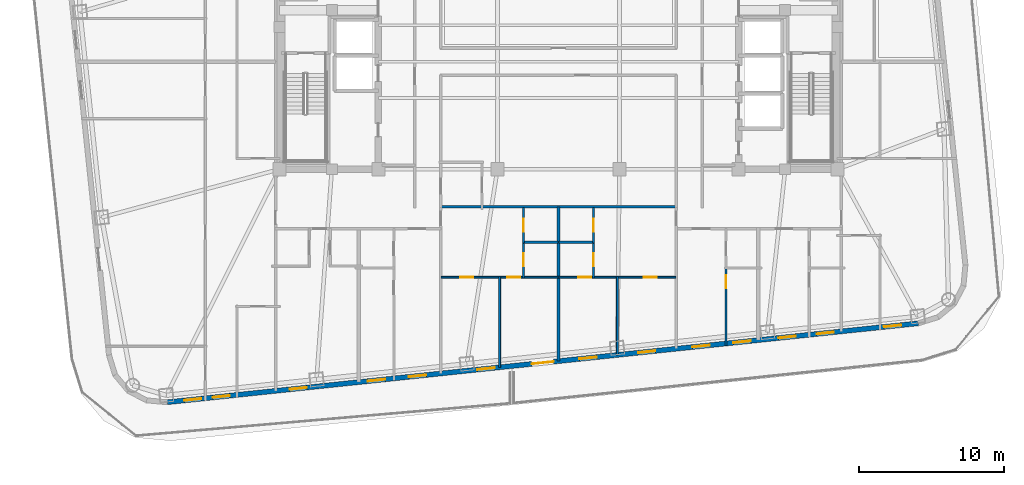
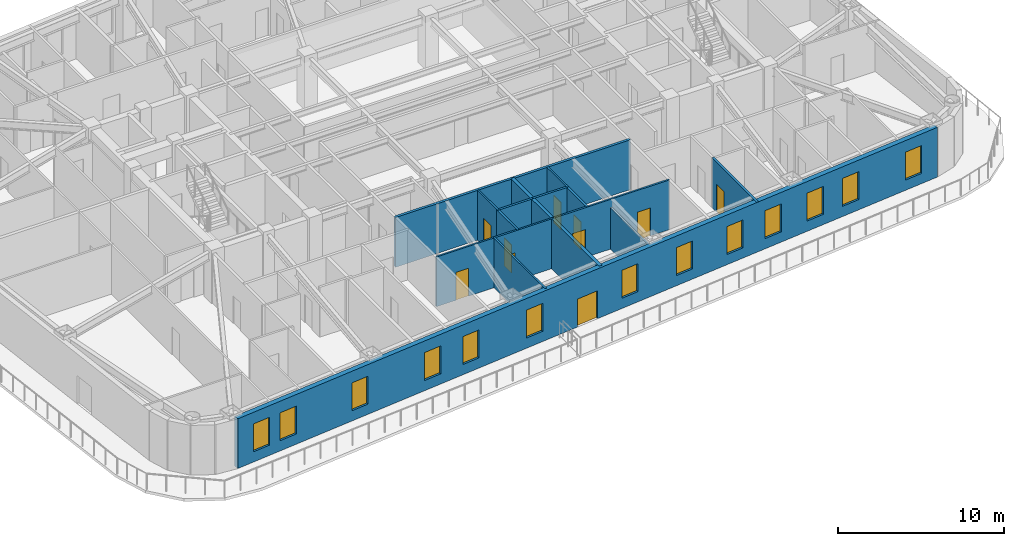
# One storey, part 5 of 15: 14 walls, 13 windows, 10 doors, 23 openings.
"""IFC4 building model written with IfcOpenShell, lengths in metres."""

from ifc_helpers import new_model, si_unit, direction, frame, frame_2d, origin, place, context, subcontext, project, spatial, rectangle, extrude, material, layer, layer_set, type_object, element, fill, save


model = new_model("IFC4")

# Units and contexts
model_context = context("Model", 3, precision=1e-05, world=origin(), true_north=direction((0.0, 1.0)))
body_context = subcontext(model_context, "Body", "Model", "MODEL_VIEW")
ifc_project = project(units=[si_unit("LENGTHUNIT", "METRE"), si_unit("AREAUNIT", "SQUARE_METRE"), si_unit("VOLUMEUNIT", "CUBIC_METRE"), si_unit("PLANEANGLEUNIT", "RADIAN"), si_unit("MASSUNIT", "GRAM", prefix="KILO")], contexts=[model_context])

# Site, building, storey
site_placement = place(None, origin())
site = spatial("IfcSite", under=ifc_project, at=site_placement, CompositionType="ELEMENT")
building_placement = place(site_placement, origin())
building = spatial("IfcBuilding", under=site, at=building_placement, Name="Voryun Gate Residences", CompositionType="ELEMENT")
storey_placement = place(building_placement, frame((0.0, 0.0, 171.60009765625)))
storey = spatial("IfcBuildingStorey", under=building, at=storey_placement, Name="L42", CompositionType="ELEMENT", Elevation=171.60009765625)

# Wall
ifc_material_1 = material(Name="Gypsum acoustic fireboard")
ifc_layer_1 = layer(ifc_material_1, 0.179931640625, Name="W_CORR_RATED_180")
ifc_layer_set_1 = layer_set([ifc_layer_1], Name="Gypsum acoustic fireboard")
wall_type_1 = type_object("IfcWallType", Name="W_CORR_RATED_180", PredefinedType="PARTITIONING", material=ifc_layer_set_1)
wall_1_placement = place(storey_placement, frame((-8.14990234375, -9.989990234375, 0.0), z_axis=(0.0, 0.0, 1.0), x_axis=(1.0, 0.0, 0.0)))
element("IfcWall", 1, at=wall_1_placement, inside=storey, type_object=wall_type_1, Name="Partition wall WP-L42-Z2S", PredefinedType="PARTITIONING", context=body_context, shape_type="SweptSolid", body=[
    extrude(rectangle(XDim=16.2998046875, YDim=0.179931640625, at=frame_2d((8.14990234375, 0.0))), origin(), (0.0, 0.0, 1.0), 3.64990234375),
])

# Wall, openings, door, windows
ifc_material_2 = material(Name="Charcoal terracotta masonry", Category="masonry")
ifc_layer_2 = layer(ifc_material_2, 0.340087890625, Name="W_EXT_TERRACOTTA_340")
ifc_layer_set_2 = layer_set([ifc_layer_2], Name="Charcoal terracotta masonry")
wall_type_2 = type_object("IfcWallType", Name="W_EXT_TERRACOTTA_340", PredefinedType="ELEMENTEDWALL", material=ifc_layer_set_2)
wall_2_placement = place(storey_placement, frame((24.755615234375, -18.003173828125, 0.0), z_axis=(0.0, 0.0, 1.0), x_axis=(-0.99452160744, -0.104531202687, 0.0)))
wall_2 = element("IfcWall", 2, at=wall_2_placement, inside=storey, type_object=wall_type_2, Name="Exterior wall WEXT-L42-01", PredefinedType="ELEMENTEDWALL", context=body_context, shape_type="SweptSolid", body=[
    extrude(rectangle(XDim=51.966552734375, YDim=0.340087890625, at=frame_2d((25.9833984375, 0.0))), origin(), (0.0, 0.0, 1.0), 3.64990234375),
])
opening_1_placement = place(wall_2_placement, frame((25.23291015625, 0.0, 0.0)))
opening_1 = element("IfcOpeningElement", 3, at=opening_1_placement, cuts=wall_2, Name="Opening D-TER-1", PredefinedType="OPENING", context=body_context, shape_type="SweptSolid", body=[
    extrude(rectangle(XDim=1.5, YDim=2.050048828125, at=frame_2d((0.75, 1.02490234375))), frame((0.0, 0.179931640625, 0.0), z_axis=(0.0, -1.0, 0.0), x_axis=(1.0, 0.0, 0.0)), (0.0, 0.0, 1.0), 0.360107421875),
])
opening_2_placement = place(wall_2_placement, frame((42.301025390625, 0.0, 0.75)))
opening_2 = element("IfcOpeningElement", 4, at=opening_2_placement, cuts=wall_2, Name="Opening WN6", PredefinedType="OPENING", context=body_context, shape_type="SweptSolid", body=[
    extrude(rectangle(XDim=1.199951171875, YDim=2.050048828125, at=frame_2d((0.60009765625, 1.02490234375))), frame((0.0, 0.179931640625, 0.0), z_axis=(0.0, -1.0, 0.0), x_axis=(1.0, 0.0, 0.0)), (0.0, 0.0, 1.0), 0.360107421875),
])
opening_3_placement = place(wall_2_placement, frame((34.048583984375, 0.0, 0.75)))
opening_3 = element("IfcOpeningElement", 5, at=opening_3_placement, cuts=wall_2, Name="Opening WN6", PredefinedType="OPENING", context=body_context, shape_type="SweptSolid", body=[
    extrude(rectangle(XDim=1.199951171875, YDim=2.050048828125, at=frame_2d((0.60009765625, 1.02490234375))), frame((0.0, 0.179931640625, 0.0), z_axis=(0.0, -1.0, 0.0), x_axis=(1.0, 0.0, 0.0)), (0.0, 0.0, 1.0), 0.360107421875),
])
opening_4_placement = place(wall_2_placement, frame((36.89404296875, 0.0, 0.75)))
opening_4 = element("IfcOpeningElement", 6, at=opening_4_placement, cuts=wall_2, Name="Opening WN6", PredefinedType="OPENING", context=body_context, shape_type="SweptSolid", body=[
    extrude(rectangle(XDim=1.199951171875, YDim=2.050048828125, at=frame_2d((0.60009765625, 1.02490234375))), frame((0.0, 0.179931640625, 0.0), z_axis=(0.0, -1.0, 0.0), x_axis=(1.0, 0.0, 0.0)), (0.0, 0.0, 1.0), 0.360107421875),
])
opening_5_placement = place(wall_2_placement, frame((14.43603515625, 0.0, 0.75)))
opening_5 = element("IfcOpeningElement", 7, at=opening_5_placement, cuts=wall_2, Name="Opening WN6", PredefinedType="OPENING", context=body_context, shape_type="SweptSolid", body=[
    extrude(rectangle(XDim=1.199951171875, YDim=2.050048828125, at=frame_2d((0.60009765625, 1.02490234375))), frame((0.0, 0.179931640625, 0.0), z_axis=(0.0, -1.0, 0.0), x_axis=(1.0, 0.0, 0.0)), (0.0, 0.0, 1.0), 0.360107421875),
])
opening_6_placement = place(wall_2_placement, frame((11.590576171875, 0.0, 0.75)))
opening_6 = element("IfcOpeningElement", 8, at=opening_6_placement, cuts=wall_2, Name="Opening WN6", PredefinedType="OPENING", context=body_context, shape_type="SweptSolid", body=[
    extrude(rectangle(XDim=1.199951171875, YDim=2.050048828125, at=frame_2d((0.60009765625, 1.02490234375))), frame((0.0, 0.179931640625, 0.0), z_axis=(0.0, -1.0, 0.0), x_axis=(1.0, 0.0, 0.0)), (0.0, 0.0, 1.0), 0.360107421875),
])
opening_7_placement = place(wall_2_placement, frame((8.46923828125, 0.0, 0.75)))
opening_7 = element("IfcOpeningElement", 9, at=opening_7_placement, cuts=wall_2, Name="Opening WN6", PredefinedType="OPENING", context=body_context, shape_type="SweptSolid", body=[
    extrude(rectangle(XDim=1.199951171875, YDim=2.050048828125, at=frame_2d((0.60009765625, 1.02490234375))), frame((0.0, 0.179931640625, 0.0), z_axis=(0.0, -1.0, 0.0), x_axis=(1.0, 0.0, 0.0)), (0.0, 0.0, 1.0), 0.360107421875),
])
opening_8_placement = place(wall_2_placement, frame((5.83349609375, 0.0, 0.75)))
opening_8 = element("IfcOpeningElement", 10, at=opening_8_placement, cuts=wall_2, Name="Opening WN6", PredefinedType="OPENING", context=body_context, shape_type="SweptSolid", body=[
    extrude(rectangle(XDim=1.199951171875, YDim=2.050048828125, at=frame_2d((0.60009765625, 1.02490234375))), frame((0.0, 0.179931640625, 0.0), z_axis=(0.0, -1.0, 0.0), x_axis=(1.0, 0.0, 0.0)), (0.0, 0.0, 1.0), 0.360107421875),
])
opening_9_placement = place(wall_2_placement, frame((29.31298828125, 0.0, 0.75)))
opening_9 = element("IfcOpeningElement", 11, at=opening_9_placement, cuts=wall_2, Name="Opening WN6", PredefinedType="OPENING", context=body_context, shape_type="SweptSolid", body=[
    extrude(rectangle(XDim=1.199951171875, YDim=2.050048828125, at=frame_2d((0.60009765625, 1.02490234375))), frame((0.0, 0.179931640625, 0.0), z_axis=(0.0, -1.0, 0.0), x_axis=(1.0, 0.0, 0.0)), (0.0, 0.0, 1.0), 0.360107421875),
])
opening_10_placement = place(wall_2_placement, frame((22.248291015625, 0.0, 0.75)))
opening_10 = element("IfcOpeningElement", 12, at=opening_10_placement, cuts=wall_2, Name="Opening WN6", PredefinedType="OPENING", context=body_context, shape_type="SweptSolid", body=[
    extrude(rectangle(XDim=1.199951171875, YDim=2.050048828125, at=frame_2d((0.60009765625, 1.02490234375))), frame((0.0, 0.179931640625, 0.0), z_axis=(0.0, -1.0, 0.0), x_axis=(1.0, 0.0, 0.0)), (0.0, 0.0, 1.0), 0.360107421875),
])
opening_11_placement = place(wall_2_placement, frame((18.18603515625, 0.0, 0.75)))
opening_11 = element("IfcOpeningElement", 13, at=opening_11_placement, cuts=wall_2, Name="Opening WN6", PredefinedType="OPENING", context=body_context, shape_type="SweptSolid", body=[
    extrude(rectangle(XDim=1.199951171875, YDim=2.050048828125, at=frame_2d((0.60009765625, 1.02490234375))), frame((0.0, 0.179931640625, 0.0), z_axis=(0.0, -1.0, 0.0), x_axis=(1.0, 0.0, 0.0)), (0.0, 0.0, 1.0), 0.360107421875),
])
opening_12_placement = place(wall_2_placement, frame((47.62744140625, 0.0, 0.75)))
opening_12 = element("IfcOpeningElement", 14, at=opening_12_placement, cuts=wall_2, Name="Opening WN6", PredefinedType="OPENING", context=body_context, shape_type="SweptSolid", body=[
    extrude(rectangle(XDim=1.199951171875, YDim=2.050048828125, at=frame_2d((0.60009765625, 1.02490234375))), frame((0.0, 0.179931640625, 0.0), z_axis=(0.0, -1.0, 0.0), x_axis=(1.0, 0.0, 0.0)), (0.0, 0.0, 1.0), 0.360107421875),
])
opening_13_placement = place(wall_2_placement, frame((49.5986328125, 0.0, 0.75)))
opening_13 = element("IfcOpeningElement", 15, at=opening_13_placement, cuts=wall_2, Name="Opening WN6", PredefinedType="OPENING", context=body_context, shape_type="SweptSolid", body=[
    extrude(rectangle(XDim=1.199951171875, YDim=2.050048828125, at=frame_2d((0.60009765625, 1.02490234375))), frame((0.0, 0.179931640625, 0.0), z_axis=(0.0, -1.0, 0.0), x_axis=(1.0, 0.0, 0.0)), (0.0, 0.0, 1.0), 0.360107421875),
])
opening_14_placement = place(wall_2_placement, frame((1.170166015625, 0.0, 0.75)))
opening_14 = element("IfcOpeningElement", 16, at=opening_14_placement, cuts=wall_2, Name="Opening WN6", PredefinedType="OPENING", context=body_context, shape_type="SweptSolid", body=[
    extrude(rectangle(XDim=1.199951171875, YDim=2.050048828125, at=frame_2d((0.60009765625, 1.02490234375))), frame((0.0, 0.179931640625, 0.0), z_axis=(0.0, -1.0, 0.0), x_axis=(1.0, 0.0, 0.0)), (0.0, 0.0, 1.0), 0.360107421875),
])
ifc_material_3 = material(Name="Thermally broken aluminium and low-E glass", Category="aluminium")
door_type_1 = type_object("IfcDoorType", Name="DR_TERR_EXIT_1500", OperationType="NOTDEFINED", PredefinedType="DOOR", material=ifc_material_3)
door_1_placement = place(opening_1_placement, origin())
door_1 = element("IfcDoor", 17, at=door_1_placement, inside=storey, type_object=door_type_1, Name="Door DR-L42-OUT-02", OperationType="SLIDING_TO_RIGHT", OverallHeight=2.050048828125, OverallWidth=1.5, PredefinedType="DOOR", context=body_context, shape_type="SweptSolid", body=[
    extrude(rectangle(XDim=1.5, YDim=2.050048828125, at=frame_2d((0.75, 1.02490234375))), frame((0.0, 0.02490234375, 0.0), z_axis=(0.0, -1.0, 0.0), x_axis=(1.0, 0.0, 0.0)), (0.0, 0.0, 1.0), 0.050048828125),
])
fill(opening_1, door_1)
ifc_material_4 = material(Name="Laminated low-E glass", Category="glass")
window_type = type_object("IfcWindowType", Name="WN_POD_SLOT_1200", PartitioningType="SINGLE_PANEL", PredefinedType="WINDOW", material=ifc_material_4)
window_1_placement = place(opening_2_placement, origin())
window_1 = element("IfcWindow", 18, at=window_1_placement, inside=storey, type_object=window_type, Name="Window WN-L42-DWFIX-10", OverallHeight=2.050048828125, OverallWidth=1.199951171875, PartitioningType="SINGLE_PANEL", PredefinedType="WINDOW", context=body_context, shape_type="SweptSolid", body=[
    extrude(rectangle(XDim=1.199951171875, YDim=2.050048828125, at=frame_2d((0.60009765625, 1.02490234375))), frame((0.0, 0.030029296875, 0.0), z_axis=(0.0, -1.0, 0.0), x_axis=(1.0, 0.0, 0.0)), (0.0, 0.0, 1.0), 0.06005859375),
])
fill(opening_2, window_1)
window_2_placement = place(opening_3_placement, origin())
window_2 = element("IfcWindow", 19, at=window_2_placement, inside=storey, type_object=window_type, Name="Window WN-L42-DWFIX-11", OverallHeight=2.050048828125, OverallWidth=1.199951171875, PartitioningType="SINGLE_PANEL", PredefinedType="WINDOW", context=body_context, shape_type="SweptSolid", body=[
    extrude(rectangle(XDim=1.199951171875, YDim=2.050048828125, at=frame_2d((0.60009765625, 1.02490234375))), frame((0.0, 0.030029296875, 0.0), z_axis=(0.0, -1.0, 0.0), x_axis=(1.0, 0.0, 0.0)), (0.0, 0.0, 1.0), 0.06005859375),
])
fill(opening_3, window_2)
window_3_placement = place(opening_4_placement, origin())
window_3 = element("IfcWindow", 20, at=window_3_placement, inside=storey, type_object=window_type, Name="Window WN-L42-DWFIX-12", OverallHeight=2.050048828125, OverallWidth=1.199951171875, PartitioningType="SINGLE_PANEL", PredefinedType="WINDOW", context=body_context, shape_type="SweptSolid", body=[
    extrude(rectangle(XDim=1.199951171875, YDim=2.050048828125, at=frame_2d((0.60009765625, 1.02490234375))), frame((0.0, 0.030029296875, 0.0), z_axis=(0.0, -1.0, 0.0), x_axis=(1.0, 0.0, 0.0)), (0.0, 0.0, 1.0), 0.06005859375),
])
fill(opening_4, window_3)
window_4_placement = place(opening_5_placement, origin())
window_4 = element("IfcWindow", 21, at=window_4_placement, inside=storey, type_object=window_type, Name="Window WN-L42-DWFIX-13", OverallHeight=2.050048828125, OverallWidth=1.199951171875, PartitioningType="SINGLE_PANEL", PredefinedType="WINDOW", context=body_context, shape_type="SweptSolid", body=[
    extrude(rectangle(XDim=1.199951171875, YDim=2.050048828125, at=frame_2d((0.60009765625, 1.02490234375))), frame((0.0, 0.030029296875, 0.0), z_axis=(0.0, -1.0, 0.0), x_axis=(1.0, 0.0, 0.0)), (0.0, 0.0, 1.0), 0.06005859375),
])
fill(opening_5, window_4)
window_5_placement = place(opening_6_placement, origin())
window_5 = element("IfcWindow", 22, at=window_5_placement, inside=storey, type_object=window_type, Name="Window WN-L42-DWFIX-14", OverallHeight=2.050048828125, OverallWidth=1.199951171875, PartitioningType="SINGLE_PANEL", PredefinedType="WINDOW", context=body_context, shape_type="SweptSolid", body=[
    extrude(rectangle(XDim=1.199951171875, YDim=2.050048828125, at=frame_2d((0.60009765625, 1.02490234375))), frame((0.0, 0.030029296875, 0.0), z_axis=(0.0, -1.0, 0.0), x_axis=(1.0, 0.0, 0.0)), (0.0, 0.0, 1.0), 0.06005859375),
])
fill(opening_6, window_5)
window_6_placement = place(opening_7_placement, origin())
window_6 = element("IfcWindow", 23, at=window_6_placement, inside=storey, type_object=window_type, Name="Window WN-L42-DWFIX-15", OverallHeight=2.050048828125, OverallWidth=1.199951171875, PartitioningType="SINGLE_PANEL", PredefinedType="WINDOW", context=body_context, shape_type="SweptSolid", body=[
    extrude(rectangle(XDim=1.199951171875, YDim=2.050048828125, at=frame_2d((0.60009765625, 1.02490234375))), frame((0.0, 0.030029296875, 0.0), z_axis=(0.0, -1.0, 0.0), x_axis=(1.0, 0.0, 0.0)), (0.0, 0.0, 1.0), 0.06005859375),
])
fill(opening_7, window_6)
window_7_placement = place(opening_8_placement, origin())
window_7 = element("IfcWindow", 24, at=window_7_placement, inside=storey, type_object=window_type, Name="Window WN-L42-DWFIX-16", OverallHeight=2.050048828125, OverallWidth=1.199951171875, PartitioningType="SINGLE_PANEL", PredefinedType="WINDOW", context=body_context, shape_type="SweptSolid", body=[
    extrude(rectangle(XDim=1.199951171875, YDim=2.050048828125, at=frame_2d((0.60009765625, 1.02490234375))), frame((0.0, 0.030029296875, 0.0), z_axis=(0.0, -1.0, 0.0), x_axis=(1.0, 0.0, 0.0)), (0.0, 0.0, 1.0), 0.06005859375),
])
fill(opening_8, window_7)
window_8_placement = place(opening_9_placement, origin())
window_8 = element("IfcWindow", 25, at=window_8_placement, inside=storey, type_object=window_type, Name="Window WN-L42-DWFIX-17", OverallHeight=2.050048828125, OverallWidth=1.199951171875, PartitioningType="SINGLE_PANEL", PredefinedType="WINDOW", context=body_context, shape_type="SweptSolid", body=[
    extrude(rectangle(XDim=1.199951171875, YDim=2.050048828125, at=frame_2d((0.60009765625, 1.02490234375))), frame((0.0, 0.030029296875, 0.0), z_axis=(0.0, -1.0, 0.0), x_axis=(1.0, 0.0, 0.0)), (0.0, 0.0, 1.0), 0.06005859375),
])
fill(opening_9, window_8)
window_9_placement = place(opening_10_placement, origin())
window_9 = element("IfcWindow", 26, at=window_9_placement, inside=storey, type_object=window_type, Name="Window WN-L42-DWFIX-18", OverallHeight=2.050048828125, OverallWidth=1.199951171875, PartitioningType="SINGLE_PANEL", PredefinedType="WINDOW", context=body_context, shape_type="SweptSolid", body=[
    extrude(rectangle(XDim=1.199951171875, YDim=2.050048828125, at=frame_2d((0.60009765625, 1.02490234375))), frame((0.0, 0.030029296875, 0.0), z_axis=(0.0, -1.0, 0.0), x_axis=(1.0, 0.0, 0.0)), (0.0, 0.0, 1.0), 0.06005859375),
])
fill(opening_10, window_9)
window_10_placement = place(opening_11_placement, origin())
window_10 = element("IfcWindow", 27, at=window_10_placement, inside=storey, type_object=window_type, Name="Window WN-L42-DWFIX-19", OverallHeight=2.050048828125, OverallWidth=1.199951171875, PartitioningType="SINGLE_PANEL", PredefinedType="WINDOW", context=body_context, shape_type="SweptSolid", body=[
    extrude(rectangle(XDim=1.199951171875, YDim=2.050048828125, at=frame_2d((0.60009765625, 1.02490234375))), frame((0.0, 0.030029296875, 0.0), z_axis=(0.0, -1.0, 0.0), x_axis=(1.0, 0.0, 0.0)), (0.0, 0.0, 1.0), 0.06005859375),
])
fill(opening_11, window_10)
window_11_placement = place(opening_12_placement, origin())
window_11 = element("IfcWindow", 28, at=window_11_placement, inside=storey, type_object=window_type, Name="Window WN-L42-DWFIX-20", OverallHeight=2.050048828125, OverallWidth=1.199951171875, PartitioningType="SINGLE_PANEL", PredefinedType="WINDOW", context=body_context, shape_type="SweptSolid", body=[
    extrude(rectangle(XDim=1.199951171875, YDim=2.050048828125, at=frame_2d((0.60009765625, 1.02490234375))), frame((0.0, 0.030029296875, 0.0), z_axis=(0.0, -1.0, 0.0), x_axis=(1.0, 0.0, 0.0)), (0.0, 0.0, 1.0), 0.06005859375),
])
fill(opening_12, window_11)
window_12_placement = place(opening_13_placement, origin())
window_12 = element("IfcWindow", 29, at=window_12_placement, inside=storey, type_object=window_type, Name="Window WN-L42-DWFIX-22", OverallHeight=2.050048828125, OverallWidth=1.199951171875, PartitioningType="SINGLE_PANEL", PredefinedType="WINDOW", context=body_context, shape_type="SweptSolid", body=[
    extrude(rectangle(XDim=1.199951171875, YDim=2.050048828125, at=frame_2d((0.60009765625, 1.02490234375))), frame((0.0, 0.030029296875, 0.0), z_axis=(0.0, -1.0, 0.0), x_axis=(1.0, 0.0, 0.0)), (0.0, 0.0, 1.0), 0.06005859375),
])
fill(opening_13, window_12)
window_13_placement = place(opening_14_placement, origin())
window_13 = element("IfcWindow", 30, at=window_13_placement, inside=storey, type_object=window_type, Name="Window WN-L42-DWFIX-26", OverallHeight=2.050048828125, OverallWidth=1.199951171875, PartitioningType="SINGLE_PANEL", PredefinedType="WINDOW", context=body_context, shape_type="SweptSolid", body=[
    extrude(rectangle(XDim=1.199951171875, YDim=2.050048828125, at=frame_2d((0.60009765625, 1.02490234375))), frame((0.0, 0.030029296875, 0.0), z_axis=(0.0, -1.0, 0.0), x_axis=(1.0, 0.0, 0.0)), (0.0, 0.0, 1.0), 0.06005859375),
])
fill(opening_14, window_13)

# Wall
ifc_material_5 = material(Name="Concrete C40/50", Category="concrete")
ifc_layer_3 = layer(ifc_material_5, 0.219970703125, Name="W_PARTY_ACOUSTIC_220")
ifc_layer_set_3 = layer_set([ifc_layer_3], Name="Concrete C40/50")
wall_type_3 = type_object("IfcWallType", Name="W_PARTY_ACOUSTIC_220", PredefinedType="PARTITIONING", material=ifc_layer_set_3)
wall_3_placement = place(storey_placement, frame((0.0, -20.60498046875, 0.0), z_axis=(0.0, 0.0, 1.0), x_axis=(0.0, 1.0, 0.0)))
element("IfcWall", 31, at=wall_3_placement, inside=storey, type_object=wall_type_3, Name="Partition wall WP-L42-SZMID", PredefinedType="PARTITIONING", context=body_context, shape_type="SweptSolid", body=[
    extrude(rectangle(XDim=10.614990234375, YDim=0.219970703125, at=frame_2d((5.3076171875, 0.0))), origin(), (0.0, 0.0, 1.0), 3.64990234375),
])

# Wall, openings, doors
ifc_material_6 = material(Name="Gypsum acoustic partition")
ifc_layer_4 = layer(ifc_material_6, 0.125, Name="W_UNIT_PART_125")
ifc_layer_set_4 = layer_set([ifc_layer_4], Name="Gypsum acoustic partition")
wall_type_4 = type_object("IfcWallType", Name="W_UNIT_PART_125", PredefinedType="PARTITIONING", material=ifc_layer_set_4)
wall_4_placement = place(storey_placement, frame((-8.080078125, -14.830078125, 0.0), z_axis=(0.0, 0.0, 1.0), x_axis=(1.0, 0.0, 0.0)))
wall_4 = element("IfcWall", 32, at=wall_4_placement, inside=storey, type_object=wall_type_4, Name="Partition wall WP-L42-SC1-HZ", PredefinedType="PARTITIONING", context=body_context, shape_type="SweptSolid", body=[
    extrude(rectangle(XDim=8.06005859375, YDim=0.125, at=frame_2d((4.030029296875, 0.0))), origin(), (0.0, 0.0, 1.0), 3.64990234375),
])
opening_15_placement = place(wall_4_placement, frame((1.3232421875, 0.0, 0.0)))
opening_15 = element("IfcOpeningElement", 33, at=opening_15_placement, cuts=wall_4, Name="Opening D-INT-2", PredefinedType="OPENING", context=body_context, shape_type="SweptSolid", body=[
    extrude(rectangle(XDim=0.89990234375, YDim=2.050048828125, at=frame_2d((0.449951171875, 1.02490234375))), frame((0.0, 0.072509765625, 0.0), z_axis=(0.0, -1.0, 0.0), x_axis=(1.0, 0.0, 0.0)), (0.0, 0.0, 1.0), 0.14501953125),
])
opening_16_placement = place(wall_4_placement, frame((4.547119140625, 0.0, 0.0)))
opening_16 = element("IfcOpeningElement", 34, at=opening_16_placement, cuts=wall_4, Name="Opening D-INT-2", PredefinedType="OPENING", context=body_context, shape_type="SweptSolid", body=[
    extrude(rectangle(XDim=0.89990234375, YDim=2.050048828125, at=frame_2d((0.449951171875, 1.02490234375))), frame((0.0, 0.072509765625, 0.0), z_axis=(0.0, -1.0, 0.0), x_axis=(1.0, 0.0, 0.0)), (0.0, 0.0, 1.0), 0.14501953125),
])
ifc_material_7 = material(Name="Architectural oak veneer")
door_type_2 = type_object("IfcDoorType", Name="DR_INT_BATH_900", OperationType="NOTDEFINED", PredefinedType="DOOR", material=ifc_material_7)
door_2_placement = place(opening_15_placement, origin())
door_2 = element("IfcDoor", 35, at=door_2_placement, inside=storey, type_object=door_type_2, Name="Door DR-L42-SC1-DMB", OperationType="SINGLE_SWING_LEFT", OverallHeight=2.050048828125, OverallWidth=0.89990234375, PredefinedType="DOOR", context=body_context, shape_type="SweptSolid", body=[
    extrude(rectangle(XDim=0.89990234375, YDim=2.050048828125, at=frame_2d((0.449951171875, 1.02490234375))), frame((0.0, 0.02490234375, 0.0), z_axis=(0.0, -1.0, 0.0), x_axis=(1.0, 0.0, 0.0)), (0.0, 0.0, 1.0), 0.050048828125),
])
fill(opening_15, door_2)
door_3_placement = place(opening_16_placement, origin())
door_3 = element("IfcDoor", 36, at=door_3_placement, inside=storey, type_object=door_type_2, Name="Door DR-L42-SC1-DBD2", OperationType="SINGLE_SWING_RIGHT", OverallHeight=2.050048828125, OverallWidth=0.89990234375, PredefinedType="DOOR", context=body_context, shape_type="SweptSolid", body=[
    extrude(rectangle(XDim=0.89990234375, YDim=2.050048828125, at=frame_2d((0.449951171875, 1.02490234375))), frame((0.0, 0.02490234375, 0.0), z_axis=(0.0, -1.0, 0.0), x_axis=(1.0, 0.0, 0.0)), (0.0, 0.0, 1.0), 0.050048828125),
])
fill(opening_16, door_3)

# Wall, opening, door
wall_5_placement = place(storey_placement, frame((-2.409912109375, -12.4599609375, 0.0), z_axis=(0.0, 0.0, 1.0), x_axis=(0.0, 1.0, 0.0)))
wall_5 = element("IfcWall", 37, at=wall_5_placement, inside=storey, type_object=wall_type_4, Name="Partition wall WP-L42-SC1-VK1", PredefinedType="PARTITIONING", context=body_context, shape_type="SweptSolid", body=[
    extrude(rectangle(XDim=2.409912109375, YDim=0.125, at=frame_2d((1.205078125, 0.0))), origin(), (0.0, 0.0, 1.0), 3.64990234375),
])
opening_17_placement = place(wall_5_placement, frame((0.7548828125, 0.0, 0.0)))
opening_17 = element("IfcOpeningElement", 38, at=opening_17_placement, cuts=wall_5, Name="Opening D-INT-2", PredefinedType="OPENING", context=body_context, shape_type="SweptSolid", body=[
    extrude(rectangle(XDim=0.89990234375, YDim=2.050048828125, at=frame_2d((0.449951171875, 1.02490234375))), frame((0.0, 0.072509765625, 0.0), z_axis=(0.0, -1.0, 0.0), x_axis=(1.0, 0.0, 0.0)), (0.0, 0.0, 1.0), 0.14501953125),
])
door_4_placement = place(opening_17_placement, origin())
door_4 = element("IfcDoor", 39, at=door_4_placement, inside=storey, type_object=door_type_2, Name="Door DR-L42-SC1-DK", OperationType="SINGLE_SWING_LEFT", OverallHeight=2.050048828125, OverallWidth=0.89990234375, PredefinedType="DOOR", context=body_context, shape_type="SweptSolid", body=[
    extrude(rectangle(XDim=0.89990234375, YDim=2.050048828125, at=frame_2d((0.449951171875, 1.02490234375))), frame((0.0, 0.02490234375, 0.0), z_axis=(0.0, -1.0, 0.0), x_axis=(1.0, 0.0, 0.0)), (0.0, 0.0, 1.0), 0.050048828125),
])
fill(opening_17, door_4)

# Wall
wall_6_placement = place(storey_placement, frame((-4.050048828125, -21.03076171875, 0.0), z_axis=(0.0, 0.0, 1.0), x_axis=(0.0, 1.0, 0.0)))
element("IfcWall", 40, at=wall_6_placement, inside=storey, type_object=wall_type_4, Name="Partition wall WP-L42-SC1-VBD", PredefinedType="PARTITIONING", context=body_context, shape_type="SweptSolid", body=[
    extrude(rectangle(XDim=6.24072265625, YDim=0.125, at=frame_2d((3.120361328125, 0.0))), origin(), (0.0, 0.0, 1.0), 3.64990234375),
])

# Wall, openings, doors
wall_7_placement = place(storey_placement, frame((0.02001953125, -14.830078125, 0.0), z_axis=(0.0, 0.0, 1.0), x_axis=(1.0, 0.0, 0.0)))
wall_7 = element("IfcWall", 41, at=wall_7_placement, inside=storey, type_object=wall_type_4, Name="Partition wall WP-L42-SC2-HZ", PredefinedType="PARTITIONING", context=body_context, shape_type="SweptSolid", body=[
    extrude(rectangle(XDim=8.06005859375, YDim=0.125, at=frame_2d((4.030029296875, 0.0))), origin(), (0.0, 0.0, 1.0), 3.64990234375),
])
opening_18_placement = place(wall_7_placement, frame((1.3232421875, 0.0, 0.0)))
opening_18 = element("IfcOpeningElement", 42, at=opening_18_placement, cuts=wall_7, Name="Opening D-INT-2", PredefinedType="OPENING", context=body_context, shape_type="SweptSolid", body=[
    extrude(rectangle(XDim=0.89990234375, YDim=2.050048828125, at=frame_2d((0.449951171875, 1.02490234375))), frame((0.0, 0.072509765625, 0.0), z_axis=(0.0, -1.0, 0.0), x_axis=(1.0, 0.0, 0.0)), (0.0, 0.0, 1.0), 0.14501953125),
])
opening_19_placement = place(wall_7_placement, frame((5.8369140625, 0.0, 0.0)))
opening_19 = element("IfcOpeningElement", 43, at=opening_19_placement, cuts=wall_7, Name="Opening D-INT-2", PredefinedType="OPENING", context=body_context, shape_type="SweptSolid", body=[
    extrude(rectangle(XDim=0.89990234375, YDim=2.050048828125, at=frame_2d((0.449951171875, 1.02490234375))), frame((0.0, 0.072509765625, 0.0), z_axis=(0.0, -1.0, 0.0), x_axis=(1.0, 0.0, 0.0)), (0.0, 0.0, 1.0), 0.14501953125),
])
door_5_placement = place(opening_18_placement, origin())
door_5 = element("IfcDoor", 44, at=door_5_placement, inside=storey, type_object=door_type_2, Name="Door DR-L42-SC2-DMB", OperationType="SINGLE_SWING_LEFT", OverallHeight=2.050048828125, OverallWidth=0.89990234375, PredefinedType="DOOR", context=body_context, shape_type="SweptSolid", body=[
    extrude(rectangle(XDim=0.89990234375, YDim=2.050048828125, at=frame_2d((0.449951171875, 1.02490234375))), frame((0.0, 0.02490234375, 0.0), z_axis=(0.0, -1.0, 0.0), x_axis=(1.0, 0.0, 0.0)), (0.0, 0.0, 1.0), 0.050048828125),
])
fill(opening_18, door_5)
door_6_placement = place(opening_19_placement, origin())
door_6 = element("IfcDoor", 45, at=door_6_placement, inside=storey, type_object=door_type_2, Name="Door DR-L42-SC2-DBD2", OperationType="SINGLE_SWING_RIGHT", OverallHeight=2.050048828125, OverallWidth=0.89990234375, PredefinedType="DOOR", context=body_context, shape_type="SweptSolid", body=[
    extrude(rectangle(XDim=0.89990234375, YDim=2.050048828125, at=frame_2d((0.449951171875, 1.02490234375))), frame((0.0, 0.02490234375, 0.0), z_axis=(0.0, -1.0, 0.0), x_axis=(1.0, 0.0, 0.0)), (0.0, 0.0, 1.0), 0.050048828125),
])
fill(opening_19, door_6)

# Wall, opening, door
wall_8_placement = place(storey_placement, frame((2.409912109375, -12.4599609375, 0.0), z_axis=(0.0, 0.0, 1.0), x_axis=(0.0, 1.0, 0.0)))
wall_8 = element("IfcWall", 46, at=wall_8_placement, inside=storey, type_object=wall_type_4, Name="Partition wall WP-L42-SC2-VK1", PredefinedType="PARTITIONING", context=body_context, shape_type="SweptSolid", body=[
    extrude(rectangle(XDim=2.409912109375, YDim=0.125, at=frame_2d((1.205078125, 0.0))), origin(), (0.0, 0.0, 1.0), 3.64990234375),
])
opening_20_placement = place(wall_8_placement, frame((0.7548828125, 0.0, 0.0)))
opening_20 = element("IfcOpeningElement", 47, at=opening_20_placement, cuts=wall_8, Name="Opening D-INT-2", PredefinedType="OPENING", context=body_context, shape_type="SweptSolid", body=[
    extrude(rectangle(XDim=0.89990234375, YDim=2.050048828125, at=frame_2d((0.449951171875, 1.02490234375))), frame((0.0, 0.072509765625, 0.0), z_axis=(0.0, -1.0, 0.0), x_axis=(1.0, 0.0, 0.0)), (0.0, 0.0, 1.0), 0.14501953125),
])
door_7_placement = place(opening_20_placement, origin())
door_7 = element("IfcDoor", 48, at=door_7_placement, inside=storey, type_object=door_type_2, Name="Door DR-L42-SC2-DK", OperationType="SINGLE_SWING_LEFT", OverallHeight=2.050048828125, OverallWidth=0.89990234375, PredefinedType="DOOR", context=body_context, shape_type="SweptSolid", body=[
    extrude(rectangle(XDim=0.89990234375, YDim=2.050048828125, at=frame_2d((0.449951171875, 1.02490234375))), frame((0.0, 0.02490234375, 0.0), z_axis=(0.0, -1.0, 0.0), x_axis=(1.0, 0.0, 0.0)), (0.0, 0.0, 1.0), 0.050048828125),
])
fill(opening_20, door_7)

# Wall
wall_9_placement = place(storey_placement, frame((4.050048828125, -20.179443359375, 0.0), z_axis=(0.0, 0.0, 1.0), x_axis=(0.0, 1.0, 0.0)))
element("IfcWall", 49, at=wall_9_placement, inside=storey, type_object=wall_type_4, Name="Partition wall WP-L42-SC2-VBD", PredefinedType="PARTITIONING", context=body_context, shape_type="SweptSolid", body=[
    extrude(rectangle(XDim=5.389404296875, YDim=0.125, at=frame_2d((2.69482421875, 0.0))), origin(), (0.0, 0.0, 1.0), 3.039794921875),
])

# Wall, opening, door
ifc_material_8 = material(Name="Gypsum moisture-resistant partition")
ifc_layer_5 = layer(ifc_material_8, 0.14990234375, Name="W_WET_PLUMB_150")
ifc_layer_set_5 = layer_set([ifc_layer_5], Name="Gypsum moisture-resistant partition")
wall_type_5 = type_object("IfcWallType", Name="W_WET_PLUMB_150", PredefinedType="PLUMBINGWALL", material=ifc_layer_set_5)
wall_10_placement = place(storey_placement, frame((11.51904296875, -19.545166015625, 0.0), z_axis=(0.0, 0.0, 1.0), x_axis=(0.0, 1.0, 0.0)))
wall_10 = element("IfcWall", 50, at=wall_10_placement, inside=storey, type_object=wall_type_5, Name="Partition wall WP-L42-S4-SVT1", PredefinedType="PLUMBINGWALL", context=body_context, shape_type="SweptSolid", body=[
    extrude(rectangle(XDim=5.38525390625, YDim=0.14990234375, at=frame_2d((2.692626953125, 0.0))), origin(), (0.0, 0.0, 1.0), 3.64990234375),
])
opening_21_placement = place(wall_10_placement, frame((3.9658203125, 0.0, 0.0)))
opening_21 = element("IfcOpeningElement", 51, at=opening_21_placement, cuts=wall_10, Name="Opening D-INT-2", PredefinedType="OPENING", context=body_context, shape_type="SweptSolid", body=[
    extrude(rectangle(XDim=0.89990234375, YDim=2.050048828125, at=frame_2d((0.449951171875, 1.02490234375))), frame((0.0, 0.0849609375, 0.0), z_axis=(0.0, -1.0, 0.0), x_axis=(1.0, 0.0, 0.0)), (0.0, 0.0, 1.0), 0.169921875),
])
door_8_placement = place(opening_21_placement, origin())
door_8 = element("IfcDoor", 52, at=door_8_placement, inside=storey, type_object=door_type_2, Name="Door DR-L42-S4-DK", OperationType="SINGLE_SWING_LEFT", OverallHeight=2.050048828125, OverallWidth=0.89990234375, PredefinedType="DOOR", context=body_context, shape_type="SweptSolid", body=[
    extrude(rectangle(XDim=0.89990234375, YDim=2.050048828125, at=frame_2d((0.449951171875, 1.02490234375))), frame((0.0, 0.02490234375, 0.0), z_axis=(0.0, -1.0, 0.0), x_axis=(1.0, 0.0, 0.0)), (0.0, 0.0, 1.0), 0.050048828125),
])
fill(opening_21, door_8)

wall_11_placement = place(storey_placement, frame((-2.409912109375, -14.8701171875, 0.0), z_axis=(0.0, 0.0, 1.0), x_axis=(0.0, 1.0, 0.0)))
wall_11 = element("IfcWall", 53, at=wall_11_placement, inside=storey, type_object=wall_type_5, Name="Partition wall WP-L42-SC1-VK2", PredefinedType="PLUMBINGWALL", context=body_context, shape_type="SweptSolid", body=[
    extrude(rectangle(XDim=2.47021484375, YDim=0.14990234375, at=frame_2d((1.235107421875, 0.0))), origin(), (0.0, 0.0, 1.0), 3.64990234375),
])
opening_22_placement = place(wall_11_placement, frame((0.784912109375, 0.0, 0.0)))
opening_22 = element("IfcOpeningElement", 54, at=opening_22_placement, cuts=wall_11, Name="Opening D-INT-2", PredefinedType="OPENING", context=body_context, shape_type="SweptSolid", body=[
    extrude(rectangle(XDim=0.89990234375, YDim=2.050048828125, at=frame_2d((0.449951171875, 1.02490234375))), frame((0.0, 0.0849609375, 0.0), z_axis=(0.0, -1.0, 0.0), x_axis=(1.0, 0.0, 0.0)), (0.0, 0.0, 1.0), 0.169921875),
])
door_9_placement = place(opening_22_placement, origin())
door_9 = element("IfcDoor", 55, at=door_9_placement, inside=storey, type_object=door_type_2, Name="Door DR-L42-SC1-DB", OperationType="SINGLE_SWING_RIGHT", OverallHeight=2.050048828125, OverallWidth=0.89990234375, PredefinedType="DOOR", context=body_context, shape_type="SweptSolid", body=[
    extrude(rectangle(XDim=0.89990234375, YDim=2.050048828125, at=frame_2d((0.449951171875, 1.02490234375))), frame((0.0, 0.02490234375, 0.0), z_axis=(0.0, -1.0, 0.0), x_axis=(1.0, 0.0, 0.0)), (0.0, 0.0, 1.0), 0.050048828125),
])
fill(opening_22, door_9)

# Wall
wall_12_placement = place(storey_placement, frame((-2.449951171875, -12.429931640625, 0.0), z_axis=(0.0, 0.0, 1.0), x_axis=(1.0, 0.0, 0.0)))
element("IfcWall", 56, at=wall_12_placement, inside=storey, type_object=wall_type_5, Name="Partition wall WP-L42-SC1-HKB", PredefinedType="PLUMBINGWALL", context=body_context, shape_type="SweptSolid", body=[
    extrude(rectangle(XDim=2.429931640625, YDim=0.14990234375, at=frame_2d((1.21484375, 0.0))), origin(), (0.0, 0.0, 1.0), 3.64990234375),
])

# Wall, opening, door
wall_13_placement = place(storey_placement, frame((2.409912109375, -14.8701171875, 0.0), z_axis=(0.0, 0.0, 1.0), x_axis=(0.0, 1.0, 0.0)))
wall_13 = element("IfcWall", 57, at=wall_13_placement, inside=storey, type_object=wall_type_5, Name="Partition wall WP-L42-SC2-VK2", PredefinedType="PLUMBINGWALL", context=body_context, shape_type="SweptSolid", body=[
    extrude(rectangle(XDim=2.47021484375, YDim=0.14990234375, at=frame_2d((1.235107421875, 0.0))), origin(), (0.0, 0.0, 1.0), 3.64990234375),
])
opening_23_placement = place(wall_13_placement, frame((0.784912109375, 0.0, 0.0)))
opening_23 = element("IfcOpeningElement", 58, at=opening_23_placement, cuts=wall_13, Name="Opening D-INT-2", PredefinedType="OPENING", context=body_context, shape_type="SweptSolid", body=[
    extrude(rectangle(XDim=0.89990234375, YDim=2.050048828125, at=frame_2d((0.449951171875, 1.02490234375))), frame((0.0, 0.0849609375, 0.0), z_axis=(0.0, -1.0, 0.0), x_axis=(1.0, 0.0, 0.0)), (0.0, 0.0, 1.0), 0.169921875),
])
door_10_placement = place(opening_23_placement, origin())
door_10 = element("IfcDoor", 59, at=door_10_placement, inside=storey, type_object=door_type_2, Name="Door DR-L42-SC2-DB", OperationType="SINGLE_SWING_RIGHT", OverallHeight=2.050048828125, OverallWidth=0.89990234375, PredefinedType="DOOR", context=body_context, shape_type="SweptSolid", body=[
    extrude(rectangle(XDim=0.89990234375, YDim=2.050048828125, at=frame_2d((0.449951171875, 1.02490234375))), frame((0.0, 0.02490234375, 0.0), z_axis=(0.0, -1.0, 0.0), x_axis=(1.0, 0.0, 0.0)), (0.0, 0.0, 1.0), 0.050048828125),
])
fill(opening_23, door_10)

# Wall
wall_14_placement = place(storey_placement, frame((0.02001953125, -12.429931640625, 0.0), z_axis=(0.0, 0.0, 1.0), x_axis=(1.0, 0.0, 0.0)))
element("IfcWall", 60, at=wall_14_placement, inside=storey, type_object=wall_type_5, Name="Partition wall WP-L42-SC2-HKB", PredefinedType="PLUMBINGWALL", context=body_context, shape_type="SweptSolid", body=[
    extrude(rectangle(XDim=2.429931640625, YDim=0.14990234375, at=frame_2d((1.21484375, 0.0))), origin(), (0.0, 0.0, 1.0), 3.64990234375),
])

save(model, "model.ifc")
